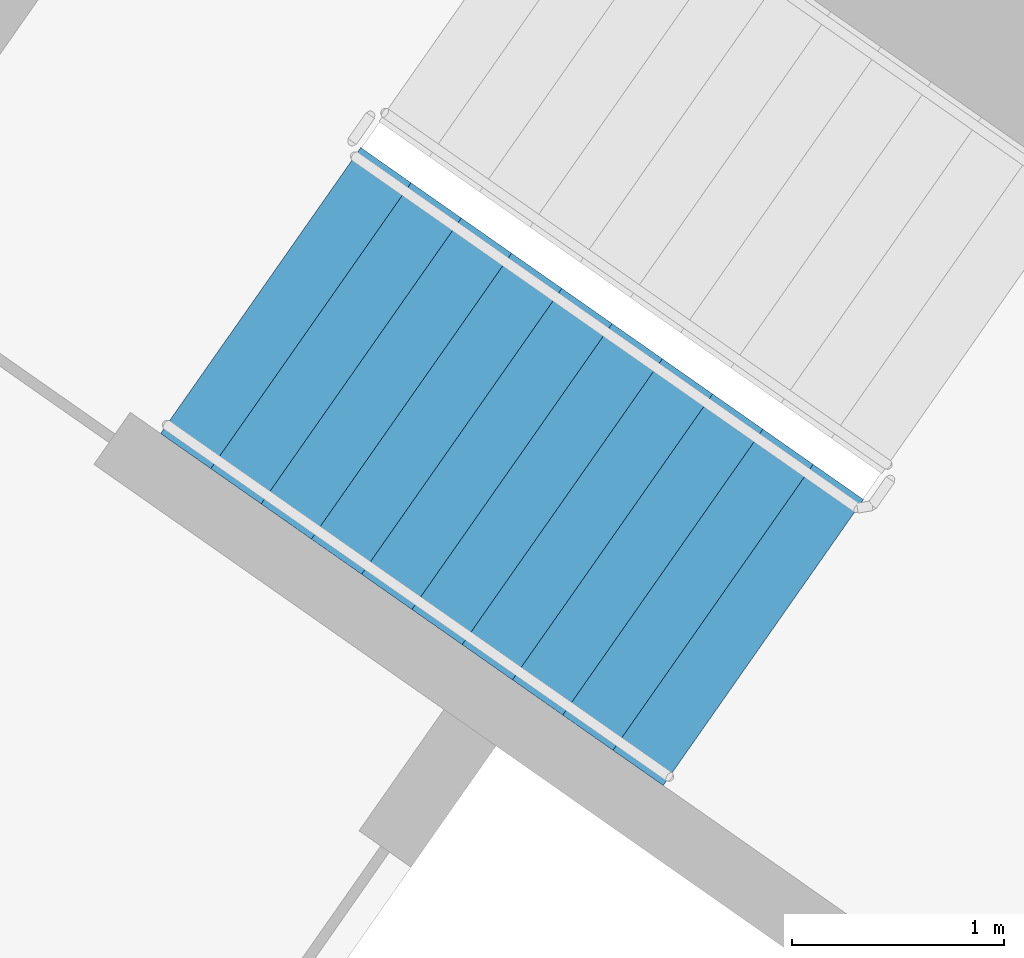
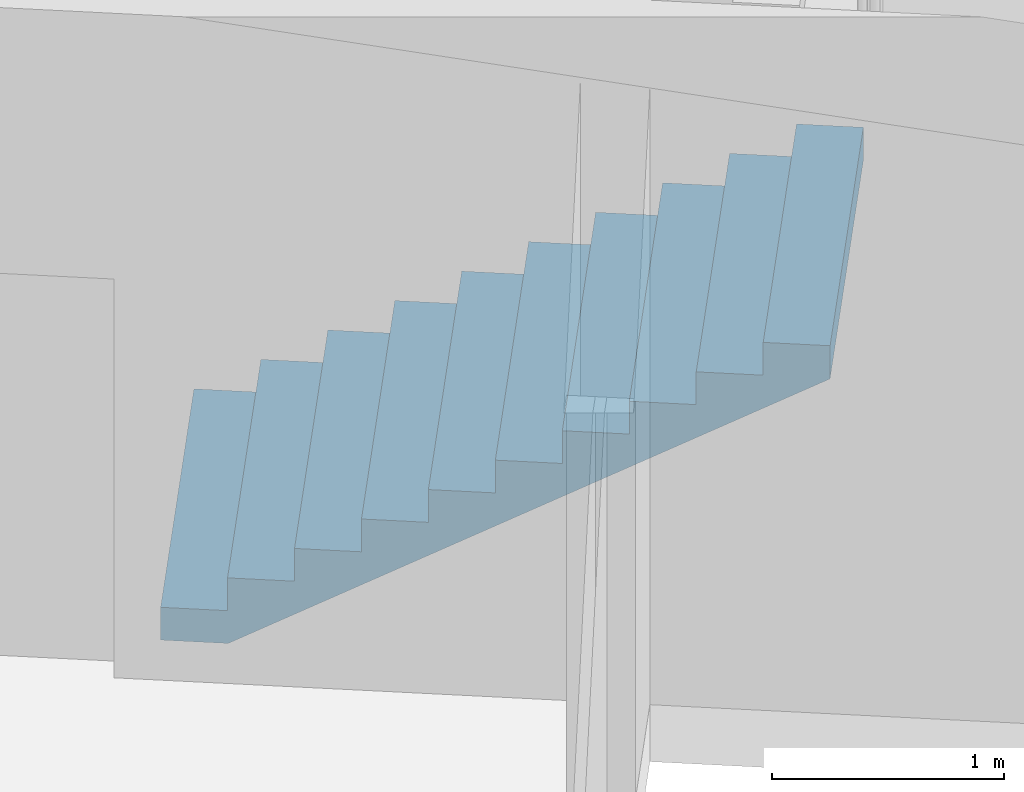
# One storey, part 11 of 27: 1 stair flight, 1 element without a shape of its own.
"""IFC4 building model written with IfcOpenShell, lengths in metres."""

from ifc_helpers import new_model, si_unit, direction, frame, origin, place, context, subcontext, project, spatial, faceted_brep, material, type_object, element, aggregate, save


model = new_model("IFC4")

# Units and contexts
model_context = context("Model", 3, precision=1e-05, world=origin(), true_north=direction((0.0, 1.0)))
body_context = subcontext(model_context, "Body", "Model", "MODEL_VIEW")
ifc_project = project(units=[si_unit("LENGTHUNIT", "METRE"), si_unit("AREAUNIT", "SQUARE_METRE"), si_unit("VOLUMEUNIT", "CUBIC_METRE"), si_unit("PLANEANGLEUNIT", "RADIAN"), si_unit("MASSUNIT", "GRAM", prefix="KILO")], contexts=[model_context])

# Site, building, storey
site_placement = place(None, origin())
site = spatial("IfcSite", under=ifc_project, at=site_placement, CompositionType="ELEMENT")
building_placement = place(site_placement, origin())
building = spatial("IfcBuilding", under=site, at=building_placement, Name="Qamariyya Broadcast Tower", CompositionType="ELEMENT")
storey_placement = place(building_placement, frame((0.0, 0.0, 222.699951171875)))
storey = spatial("IfcBuildingStorey", under=building, at=storey_placement, Name="L53", CompositionType="ELEMENT", Elevation=222.699951171875)

# Stair, stair flight
ifc_material = material(Name="Concrete C50/60", Category="concrete")
stair_type = type_object("IfcStairType", Name="Exit stair 22 risers of 173 mm", PredefinedType="HALF_TURN_STAIR", material=ifc_material)
stair_placement = place(storey_placement, origin())
stair = element("IfcStair", 1, at=stair_placement, inside=storey, type_object=stair_type, Name="L53 Stair W2", PredefinedType="HALF_TURN_STAIR")
stair_flight_type = type_object("IfcStairFlightType", Name="Exit stair flight 11 risers of 173 mm", PredefinedType="STRAIGHT", material=ifc_material)
stair_flight_placement = place(storey_placement, frame((-41.59130859375, -49.15966796875, 0.0), z_axis=(0.0, 0.0, 1.0), x_axis=(0.819152044289, -0.573576436351, 0.0)))
stair_flight = element("IfcStairFlight", 2, at=stair_flight_placement, type_object=stair_flight_type, Name="ST-W2 flight 1", NumberOfRisers=11, NumberOfTreads=10, PredefinedType="STRAIGHT", RiserHeight=0.172727273, TreadLength=0.29, context=body_context, shape_type="Brep", body=[
    faceted_brep([(0.0, 0.824951171875, 0.0), (0.0, 0.824951171875, 0.172607421875), (0.2900390625, 0.824951171875, 0.172607421875), (0.2900390625, 0.824951171875, 0.345458984375), (0.580078125, 0.824951171875, 0.345458984375), (0.580078125, 0.824951171875, 0.51806640625), (0.8701171875, 0.824951171875, 0.51806640625), (0.8701171875, 0.824951171875, 0.69091796875), (1.159912109375, 0.824951171875, 0.69091796875), (1.159912109375, 0.824951171875, 0.863525390625), (1.449951171875, 0.824951171875, 0.863525390625), (1.449951171875, 0.824951171875, 1.036376953125), (1.739990234375, 0.824951171875, 1.036376953125), (1.739990234375, 0.824951171875, 1.208984375), (2.030029296875, 0.824951171875, 1.208984375), (2.030029296875, 0.824951171875, 1.3818359375), (2.320068359375, 0.824951171875, 1.3818359375), (2.320068359375, 0.824951171875, 1.554443359375), (2.610107421875, 0.824951171875, 1.554443359375), (2.610107421875, 0.824951171875, 1.727294921875), (2.89990234375, 0.824951171875, 1.727294921875), (2.89990234375, 0.824951171875, 1.552734375), (0.29296875, 0.824951171875, 0.0), (0.29296875, -0.824951171875, 0.0), (2.89990234375, -0.824951171875, 1.552734375), (2.89990234375, -0.824951171875, 1.727294921875), (2.610107421875, -0.824951171875, 1.727294921875), (2.610107421875, -0.824951171875, 1.554443359375), (2.320068359375, -0.824951171875, 1.554443359375), (2.320068359375, -0.824951171875, 1.3818359375), (2.030029296875, -0.824951171875, 1.3818359375), (2.030029296875, -0.824951171875, 1.208984375), (1.739990234375, -0.824951171875, 1.208984375), (1.739990234375, -0.824951171875, 1.036376953125), (1.449951171875, -0.824951171875, 1.036376953125), (1.449951171875, -0.824951171875, 0.863525390625), (1.159912109375, -0.824951171875, 0.863525390625), (1.159912109375, -0.824951171875, 0.69091796875), (0.8701171875, -0.824951171875, 0.69091796875), (0.8701171875, -0.824951171875, 0.51806640625), (0.580078125, -0.824951171875, 0.51806640625), (0.580078125, -0.824951171875, 0.345458984375), (0.2900390625, -0.824951171875, 0.345458984375), (0.2900390625, -0.824951171875, 0.172607421875), (0.0, -0.824951171875, 0.172607421875), (0.0, -0.824951171875, 0.0), (0.0, 0.10009765625, 0.0), (0.0, 0.086669921875, 0.0), (0.0, 0.0732421875, 0.0), (0.0, 0.06005859375, 0.0), (0.0, 0.046630859375, 0.0), (0.0, 0.033447265625, 0.0), (0.0, 0.02001953125, 0.0), (0.0, 0.006591796875, 0.0), (0.0, -0.006591796875, 0.0), (0.0, -0.02001953125, 0.0), (0.0, -0.033447265625, 0.0), (0.0, -0.046630859375, 0.0), (0.0, -0.06005859375, 0.0), (0.0, -0.0732421875, 0.0), (0.0, -0.086669921875, 0.0), (0.0, -0.10009765625, 0.0), (0.0, -0.10009765625, 0.172607421875), (0.0, -0.086669921875, 0.172607421875), (0.0, -0.0732421875, 0.172607421875), (0.0, -0.06005859375, 0.172607421875), (0.0, -0.046630859375, 0.172607421875), (0.0, -0.033447265625, 0.172607421875), (0.0, -0.02001953125, 0.172607421875), (0.0, -0.006591796875, 0.172607421875), (0.0, 0.006591796875, 0.172607421875), (0.0, 0.02001953125, 0.172607421875), (0.0, 0.033447265625, 0.172607421875), (0.0, 0.046630859375, 0.172607421875), (0.0, 0.06005859375, 0.172607421875), (0.0, 0.0732421875, 0.172607421875), (0.0, 0.086669921875, 0.172607421875), (0.0, 0.10009765625, 0.172607421875), (0.2900390625, -0.10009765625, 0.172607421875), (0.2900390625, -0.086669921875, 0.172607421875), (0.2900390625, -0.0732421875, 0.172607421875), (0.2900390625, -0.06005859375, 0.172607421875), (0.2900390625, -0.046630859375, 0.172607421875), (0.2900390625, -0.033447265625, 0.172607421875), (0.2900390625, -0.02001953125, 0.172607421875), (0.2900390625, -0.006591796875, 0.172607421875), (0.2900390625, 0.006591796875, 0.172607421875), (0.2900390625, 0.02001953125, 0.172607421875), (0.2900390625, 0.033447265625, 0.172607421875), (0.2900390625, 0.046630859375, 0.172607421875), (0.2900390625, 0.06005859375, 0.172607421875), (0.2900390625, 0.0732421875, 0.172607421875), (0.2900390625, 0.086669921875, 0.172607421875), (0.2900390625, 0.10009765625, 0.172607421875), (0.2900390625, -0.10009765625, 0.345458984375), (0.2900390625, -0.086669921875, 0.345458984375), (0.2900390625, -0.0732421875, 0.345458984375), (0.2900390625, -0.06005859375, 0.345458984375), (0.2900390625, -0.046630859375, 0.345458984375), (0.2900390625, -0.033447265625, 0.345458984375), (0.2900390625, -0.02001953125, 0.345458984375), (0.2900390625, -0.006591796875, 0.345458984375), (0.2900390625, 0.006591796875, 0.345458984375), (0.2900390625, 0.02001953125, 0.345458984375), (0.2900390625, 0.033447265625, 0.345458984375), (0.2900390625, 0.046630859375, 0.345458984375), (0.2900390625, 0.06005859375, 0.345458984375), (0.2900390625, 0.0732421875, 0.345458984375), (0.2900390625, 0.086669921875, 0.345458984375), (0.2900390625, 0.10009765625, 0.345458984375), (0.580078125, -0.10009765625, 0.345458984375), (0.580078125, -0.086669921875, 0.345458984375), (0.580078125, -0.0732421875, 0.345458984375), (0.580078125, -0.06005859375, 0.345458984375), (0.580078125, -0.046630859375, 0.345458984375), (0.580078125, -0.033447265625, 0.345458984375), (0.580078125, -0.02001953125, 0.345458984375), (0.580078125, -0.006591796875, 0.345458984375), (0.580078125, 0.006591796875, 0.345458984375), (0.580078125, 0.02001953125, 0.345458984375), (0.580078125, 0.033447265625, 0.345458984375), (0.580078125, 0.046630859375, 0.345458984375), (0.580078125, 0.06005859375, 0.345458984375), (0.580078125, 0.0732421875, 0.345458984375), (0.580078125, 0.086669921875, 0.345458984375), (0.580078125, 0.10009765625, 0.345458984375), (0.580078125, -0.10009765625, 0.51806640625), (0.580078125, -0.086669921875, 0.51806640625), (0.580078125, -0.0732421875, 0.51806640625), (0.580078125, -0.06005859375, 0.51806640625), (0.580078125, -0.046630859375, 0.51806640625), (0.580078125, -0.033447265625, 0.51806640625), (0.580078125, -0.02001953125, 0.51806640625), (0.580078125, -0.006591796875, 0.51806640625), (0.580078125, 0.006591796875, 0.51806640625), (0.580078125, 0.02001953125, 0.51806640625), (0.580078125, 0.033447265625, 0.51806640625), (0.580078125, 0.046630859375, 0.51806640625), (0.580078125, 0.06005859375, 0.51806640625), (0.580078125, 0.0732421875, 0.51806640625), (0.580078125, 0.086669921875, 0.51806640625), (0.580078125, 0.10009765625, 0.51806640625), (0.8701171875, -0.10009765625, 0.51806640625), (0.8701171875, -0.086669921875, 0.51806640625), (0.8701171875, -0.0732421875, 0.51806640625), (0.8701171875, -0.06005859375, 0.51806640625), (0.8701171875, -0.046630859375, 0.51806640625), (0.8701171875, -0.033447265625, 0.51806640625), (0.8701171875, -0.02001953125, 0.51806640625), (0.8701171875, -0.006591796875, 0.51806640625), (0.8701171875, 0.006591796875, 0.51806640625), (0.8701171875, 0.02001953125, 0.51806640625), (0.8701171875, 0.033447265625, 0.51806640625), (0.8701171875, 0.046630859375, 0.51806640625), (0.8701171875, 0.06005859375, 0.51806640625), (0.8701171875, 0.0732421875, 0.51806640625), (0.8701171875, 0.086669921875, 0.51806640625), (0.8701171875, 0.10009765625, 0.51806640625), (0.8701171875, -0.10009765625, 0.69091796875), (0.8701171875, -0.086669921875, 0.69091796875), (0.8701171875, -0.0732421875, 0.69091796875), (0.8701171875, -0.06005859375, 0.69091796875), (0.8701171875, -0.046630859375, 0.69091796875), (0.8701171875, -0.033447265625, 0.69091796875), (0.8701171875, -0.02001953125, 0.69091796875), (0.8701171875, -0.006591796875, 0.69091796875), (0.8701171875, 0.006591796875, 0.69091796875), (0.8701171875, 0.02001953125, 0.69091796875), (0.8701171875, 0.033447265625, 0.69091796875), (0.8701171875, 0.046630859375, 0.69091796875), (0.8701171875, 0.06005859375, 0.69091796875), (0.8701171875, 0.0732421875, 0.69091796875), (0.8701171875, 0.086669921875, 0.69091796875), (0.8701171875, 0.10009765625, 0.69091796875), (1.159912109375, -0.10009765625, 0.69091796875), (1.159912109375, -0.086669921875, 0.69091796875), (1.159912109375, -0.0732421875, 0.69091796875), (1.159912109375, -0.06005859375, 0.69091796875), (1.159912109375, -0.046630859375, 0.69091796875), (1.159912109375, -0.033447265625, 0.69091796875), (1.159912109375, -0.02001953125, 0.69091796875), (1.159912109375, -0.006591796875, 0.69091796875), (1.159912109375, 0.006591796875, 0.69091796875), (1.159912109375, 0.02001953125, 0.69091796875), (1.159912109375, 0.033447265625, 0.69091796875), (1.159912109375, 0.046630859375, 0.69091796875), (1.159912109375, 0.06005859375, 0.69091796875), (1.159912109375, 0.0732421875, 0.69091796875), (1.159912109375, 0.086669921875, 0.69091796875), (1.159912109375, 0.10009765625, 0.69091796875), (1.159912109375, -0.10009765625, 0.863525390625), (1.159912109375, -0.086669921875, 0.863525390625), (1.159912109375, -0.0732421875, 0.863525390625), (1.159912109375, -0.06005859375, 0.863525390625), (1.159912109375, -0.046630859375, 0.863525390625), (1.159912109375, -0.033447265625, 0.863525390625), (1.159912109375, -0.02001953125, 0.863525390625), (1.159912109375, -0.006591796875, 0.863525390625), (1.159912109375, 0.006591796875, 0.863525390625), (1.159912109375, 0.02001953125, 0.863525390625), (1.159912109375, 0.033447265625, 0.863525390625), (1.159912109375, 0.046630859375, 0.863525390625), (1.159912109375, 0.06005859375, 0.863525390625), (1.159912109375, 0.0732421875, 0.863525390625), (1.159912109375, 0.086669921875, 0.863525390625), (1.159912109375, 0.10009765625, 0.863525390625), (1.449951171875, -0.10009765625, 0.863525390625), (1.449951171875, -0.086669921875, 0.863525390625), (1.449951171875, -0.0732421875, 0.863525390625), (1.449951171875, -0.06005859375, 0.863525390625), (1.449951171875, -0.046630859375, 0.863525390625), (1.449951171875, -0.033447265625, 0.863525390625), (1.449951171875, -0.02001953125, 0.863525390625), (1.449951171875, -0.006591796875, 0.863525390625), (1.449951171875, 0.006591796875, 0.863525390625), (1.449951171875, 0.02001953125, 0.863525390625), (1.449951171875, 0.033447265625, 0.863525390625), (1.449951171875, 0.046630859375, 0.863525390625), (1.449951171875, 0.06005859375, 0.863525390625), (1.449951171875, 0.0732421875, 0.863525390625), (1.449951171875, 0.086669921875, 0.863525390625), (1.449951171875, 0.10009765625, 0.863525390625), (1.449951171875, -0.10009765625, 1.036376953125), (1.449951171875, -0.086669921875, 1.036376953125), (1.449951171875, -0.0732421875, 1.036376953125), (1.449951171875, -0.06005859375, 1.036376953125), (1.449951171875, -0.046630859375, 1.036376953125), (1.449951171875, -0.033447265625, 1.036376953125), (1.449951171875, -0.02001953125, 1.036376953125), (1.449951171875, -0.006591796875, 1.036376953125), (1.449951171875, 0.006591796875, 1.036376953125), (1.449951171875, 0.02001953125, 1.036376953125), (1.449951171875, 0.033447265625, 1.036376953125), (1.449951171875, 0.046630859375, 1.036376953125), (1.449951171875, 0.06005859375, 1.036376953125), (1.449951171875, 0.0732421875, 1.036376953125), (1.449951171875, 0.086669921875, 1.036376953125), (1.449951171875, 0.10009765625, 1.036376953125), (1.739990234375, -0.10009765625, 1.036376953125), (1.739990234375, -0.086669921875, 1.036376953125), (1.739990234375, -0.0732421875, 1.036376953125), (1.739990234375, -0.06005859375, 1.036376953125), (1.739990234375, -0.046630859375, 1.036376953125), (1.739990234375, -0.033447265625, 1.036376953125), (1.739990234375, -0.02001953125, 1.036376953125), (1.739990234375, -0.006591796875, 1.036376953125), (1.739990234375, 0.006591796875, 1.036376953125), (1.739990234375, 0.02001953125, 1.036376953125), (1.739990234375, 0.033447265625, 1.036376953125), (1.739990234375, 0.046630859375, 1.036376953125), (1.739990234375, 0.06005859375, 1.036376953125), (1.739990234375, 0.0732421875, 1.036376953125), (1.739990234375, 0.086669921875, 1.036376953125), (1.739990234375, 0.10009765625, 1.036376953125), (1.739990234375, -0.10009765625, 1.208984375), (1.739990234375, -0.086669921875, 1.208984375), (1.739990234375, -0.0732421875, 1.208984375), (1.739990234375, -0.06005859375, 1.208984375), (1.739990234375, -0.046630859375, 1.208984375), (1.739990234375, -0.033447265625, 1.208984375), (1.739990234375, -0.02001953125, 1.208984375), (1.739990234375, -0.006591796875, 1.208984375), (1.739990234375, 0.006591796875, 1.208984375), (1.739990234375, 0.02001953125, 1.208984375), (1.739990234375, 0.033447265625, 1.208984375), (1.739990234375, 0.046630859375, 1.208984375), (1.739990234375, 0.06005859375, 1.208984375), (1.739990234375, 0.0732421875, 1.208984375), (1.739990234375, 0.086669921875, 1.208984375), (1.739990234375, 0.10009765625, 1.208984375), (2.030029296875, -0.10009765625, 1.208984375), (2.030029296875, -0.086669921875, 1.208984375), (2.030029296875, -0.0732421875, 1.208984375), (2.030029296875, -0.06005859375, 1.208984375), (2.030029296875, -0.046630859375, 1.208984375), (2.030029296875, -0.033447265625, 1.208984375), (2.030029296875, -0.02001953125, 1.208984375), (2.030029296875, -0.006591796875, 1.208984375), (2.030029296875, 0.006591796875, 1.208984375), (2.030029296875, 0.02001953125, 1.208984375), (2.030029296875, 0.033447265625, 1.208984375), (2.030029296875, 0.046630859375, 1.208984375), (2.030029296875, 0.06005859375, 1.208984375), (2.030029296875, 0.0732421875, 1.208984375), (2.030029296875, 0.086669921875, 1.208984375), (2.030029296875, 0.10009765625, 1.208984375), (2.030029296875, -0.10009765625, 1.3818359375), (2.030029296875, -0.086669921875, 1.3818359375), (2.030029296875, -0.0732421875, 1.3818359375), (2.030029296875, -0.06005859375, 1.3818359375), (2.030029296875, -0.046630859375, 1.3818359375), (2.030029296875, -0.033447265625, 1.3818359375), (2.030029296875, -0.02001953125, 1.3818359375), (2.030029296875, -0.006591796875, 1.3818359375), (2.030029296875, 0.006591796875, 1.3818359375), (2.030029296875, 0.02001953125, 1.3818359375), (2.030029296875, 0.033447265625, 1.3818359375), (2.030029296875, 0.046630859375, 1.3818359375), (2.030029296875, 0.06005859375, 1.3818359375), (2.030029296875, 0.0732421875, 1.3818359375), (2.030029296875, 0.086669921875, 1.3818359375), (2.030029296875, 0.10009765625, 1.3818359375), (2.320068359375, -0.10009765625, 1.3818359375), (2.320068359375, -0.086669921875, 1.3818359375), (2.320068359375, -0.0732421875, 1.3818359375), (2.320068359375, -0.06005859375, 1.3818359375), (2.320068359375, -0.046630859375, 1.3818359375), (2.320068359375, -0.033447265625, 1.3818359375), (2.320068359375, -0.02001953125, 1.3818359375), (2.320068359375, -0.006591796875, 1.3818359375), (2.320068359375, 0.006591796875, 1.3818359375), (2.320068359375, 0.02001953125, 1.3818359375), (2.320068359375, 0.033447265625, 1.3818359375), (2.320068359375, 0.046630859375, 1.3818359375), (2.320068359375, 0.06005859375, 1.3818359375), (2.320068359375, 0.0732421875, 1.3818359375), (2.320068359375, 0.086669921875, 1.3818359375), (2.320068359375, 0.10009765625, 1.3818359375), (2.320068359375, -0.10009765625, 1.554443359375), (2.320068359375, -0.086669921875, 1.554443359375), (2.320068359375, -0.0732421875, 1.554443359375), (2.320068359375, -0.06005859375, 1.554443359375), (2.320068359375, -0.046630859375, 1.554443359375), (2.320068359375, -0.033447265625, 1.554443359375), (2.320068359375, -0.02001953125, 1.554443359375), (2.320068359375, -0.006591796875, 1.554443359375), (2.320068359375, 0.006591796875, 1.554443359375), (2.320068359375, 0.02001953125, 1.554443359375), (2.320068359375, 0.033447265625, 1.554443359375), (2.320068359375, 0.046630859375, 1.554443359375), (2.320068359375, 0.06005859375, 1.554443359375), (2.320068359375, 0.0732421875, 1.554443359375), (2.320068359375, 0.086669921875, 1.554443359375), (2.320068359375, 0.10009765625, 1.554443359375), (2.610107421875, -0.10009765625, 1.554443359375), (2.610107421875, -0.086669921875, 1.554443359375), (2.610107421875, -0.0732421875, 1.554443359375), (2.610107421875, -0.06005859375, 1.554443359375), (2.610107421875, -0.046630859375, 1.554443359375), (2.610107421875, -0.033447265625, 1.554443359375), (2.610107421875, -0.02001953125, 1.554443359375), (2.610107421875, -0.006591796875, 1.554443359375), (2.610107421875, 0.006591796875, 1.554443359375), (2.610107421875, 0.02001953125, 1.554443359375), (2.610107421875, 0.033447265625, 1.554443359375), (2.610107421875, 0.046630859375, 1.554443359375), (2.610107421875, 0.06005859375, 1.554443359375), (2.610107421875, 0.0732421875, 1.554443359375), (2.610107421875, 0.086669921875, 1.554443359375), (2.610107421875, 0.10009765625, 1.554443359375), (2.610107421875, -0.10009765625, 1.727294921875), (2.610107421875, -0.086669921875, 1.727294921875), (2.610107421875, -0.0732421875, 1.727294921875), (2.610107421875, -0.06005859375, 1.727294921875), (2.610107421875, -0.046630859375, 1.727294921875), (2.610107421875, -0.033447265625, 1.727294921875), (2.610107421875, -0.02001953125, 1.727294921875), (2.610107421875, -0.006591796875, 1.727294921875), (2.610107421875, 0.006591796875, 1.727294921875), (2.610107421875, 0.02001953125, 1.727294921875), (2.610107421875, 0.033447265625, 1.727294921875), (2.610107421875, 0.046630859375, 1.727294921875), (2.610107421875, 0.06005859375, 1.727294921875), (2.610107421875, 0.0732421875, 1.727294921875), (2.610107421875, 0.086669921875, 1.727294921875), (2.610107421875, 0.10009765625, 1.727294921875), (2.89990234375, -0.10009765625, 1.727294921875), (2.89990234375, -0.086669921875, 1.727294921875), (2.89990234375, -0.0732421875, 1.727294921875), (2.89990234375, -0.06005859375, 1.727294921875), (2.89990234375, -0.046630859375, 1.727294921875), (2.89990234375, -0.033447265625, 1.727294921875), (2.89990234375, -0.02001953125, 1.727294921875), (2.89990234375, -0.006591796875, 1.727294921875), (2.89990234375, 0.006591796875, 1.727294921875), (2.89990234375, 0.02001953125, 1.727294921875), (2.89990234375, 0.033447265625, 1.727294921875), (2.89990234375, 0.046630859375, 1.727294921875), (2.89990234375, 0.06005859375, 1.727294921875), (2.89990234375, 0.0732421875, 1.727294921875), (2.89990234375, 0.086669921875, 1.727294921875), (2.89990234375, 0.10009765625, 1.727294921875), (2.89990234375, -0.10009765625, 1.552734375), (2.89990234375, -0.086669921875, 1.552734375), (2.89990234375, -0.0732421875, 1.552734375), (2.89990234375, -0.06005859375, 1.552734375), (2.89990234375, -0.046630859375, 1.552734375), (2.89990234375, -0.033447265625, 1.552734375), (2.89990234375, -0.02001953125, 1.552734375), (2.89990234375, -0.006591796875, 1.552734375), (2.89990234375, 0.006591796875, 1.552734375), (2.89990234375, 0.02001953125, 1.552734375), (2.89990234375, 0.033447265625, 1.552734375), (2.89990234375, 0.046630859375, 1.552734375), (2.89990234375, 0.06005859375, 1.552734375), (2.89990234375, 0.0732421875, 1.552734375), (2.89990234375, 0.086669921875, 1.552734375), (2.89990234375, 0.10009765625, 1.552734375), (0.29296875, -0.10009765625, 0.0), (0.29296875, -0.086669921875, 0.0), (0.29296875, -0.0732421875, 0.0), (0.29296875, -0.06005859375, 0.0), (0.29296875, -0.046630859375, 0.0), (0.29296875, -0.033447265625, 0.0), (0.29296875, -0.02001953125, 0.0), (0.29296875, -0.006591796875, 0.0), (0.29296875, 0.006591796875, 0.0), (0.29296875, 0.02001953125, 0.0), (0.29296875, 0.033447265625, 0.0), (0.29296875, 0.046630859375, 0.0), (0.29296875, 0.06005859375, 0.0), (0.29296875, 0.0732421875, 0.0), (0.29296875, 0.086669921875, 0.0), (0.29296875, 0.10009765625, 0.0)], [[[0, 1, 2, 3, 4, 5, 6, 7, 8, 9, 10, 11, 12, 13, 14, 15, 16, 17, 18, 19, 20, 21, 22]], [[23, 24, 25, 26, 27, 28, 29, 30, 31, 32, 33, 34, 35, 36, 37, 38, 39, 40, 41, 42, 43, 44, 45]], [[0, 46, 47, 48, 49, 50, 51, 52, 53, 54, 55, 56, 57, 58, 59, 60, 61, 45, 44, 62, 63, 64, 65, 66, 67, 68, 69, 70, 71, 72, 73, 74, 75, 76, 77, 1]], [[1, 77, 76, 75, 74, 73, 72, 71, 70, 69, 68, 67, 66, 65, 64, 63, 62, 44, 43, 78, 79, 80, 81, 82, 83, 84, 85, 86, 87, 88, 89, 90, 91, 92, 93, 2]], [[2, 93, 92, 91, 90, 89, 88, 87, 86, 85, 84, 83, 82, 81, 80, 79, 78, 43, 42, 94, 95, 96, 97, 98, 99, 100, 101, 102, 103, 104, 105, 106, 107, 108, 109, 3]], [[3, 109, 108, 107, 106, 105, 104, 103, 102, 101, 100, 99, 98, 97, 96, 95, 94, 42, 41, 110, 111, 112, 113, 114, 115, 116, 117, 118, 119, 120, 121, 122, 123, 124, 125, 4]], [[4, 125, 124, 123, 122, 121, 120, 119, 118, 117, 116, 115, 114, 113, 112, 111, 110, 41, 40, 126, 127, 128, 129, 130, 131, 132, 133, 134, 135, 136, 137, 138, 139, 140, 141, 5]], [[5, 141, 140, 139, 138, 137, 136, 135, 134, 133, 132, 131, 130, 129, 128, 127, 126, 40, 39, 142, 143, 144, 145, 146, 147, 148, 149, 150, 151, 152, 153, 154, 155, 156, 157, 6]], [[6, 157, 156, 155, 154, 153, 152, 151, 150, 149, 148, 147, 146, 145, 144, 143, 142, 39, 38, 158, 159, 160, 161, 162, 163, 164, 165, 166, 167, 168, 169, 170, 171, 172, 173, 7]], [[7, 173, 172, 171, 170, 169, 168, 167, 166, 165, 164, 163, 162, 161, 160, 159, 158, 38, 37, 174, 175, 176, 177, 178, 179, 180, 181, 182, 183, 184, 185, 186, 187, 188, 189, 8]], [[8, 189, 188, 187, 186, 185, 184, 183, 182, 181, 180, 179, 178, 177, 176, 175, 174, 37, 36, 190, 191, 192, 193, 194, 195, 196, 197, 198, 199, 200, 201, 202, 203, 204, 205, 9]], [[9, 205, 204, 203, 202, 201, 200, 199, 198, 197, 196, 195, 194, 193, 192, 191, 190, 36, 35, 206, 207, 208, 209, 210, 211, 212, 213, 214, 215, 216, 217, 218, 219, 220, 221, 10]], [[10, 221, 220, 219, 218, 217, 216, 215, 214, 213, 212, 211, 210, 209, 208, 207, 206, 35, 34, 222, 223, 224, 225, 226, 227, 228, 229, 230, 231, 232, 233, 234, 235, 236, 237, 11]], [[11, 237, 236, 235, 234, 233, 232, 231, 230, 229, 228, 227, 226, 225, 224, 223, 222, 34, 33, 238, 239, 240, 241, 242, 243, 244, 245, 246, 247, 248, 249, 250, 251, 252, 253, 12]], [[12, 253, 252, 251, 250, 249, 248, 247, 246, 245, 244, 243, 242, 241, 240, 239, 238, 33, 32, 254, 255, 256, 257, 258, 259, 260, 261, 262, 263, 264, 265, 266, 267, 268, 269, 13]], [[13, 269, 268, 267, 266, 265, 264, 263, 262, 261, 260, 259, 258, 257, 256, 255, 254, 32, 31, 270, 271, 272, 273, 274, 275, 276, 277, 278, 279, 280, 281, 282, 283, 284, 285, 14]], [[14, 285, 284, 283, 282, 281, 280, 279, 278, 277, 276, 275, 274, 273, 272, 271, 270, 31, 30, 286, 287, 288, 289, 290, 291, 292, 293, 294, 295, 296, 297, 298, 299, 300, 301, 15]], [[15, 301, 300, 299, 298, 297, 296, 295, 294, 293, 292, 291, 290, 289, 288, 287, 286, 30, 29, 302, 303, 304, 305, 306, 307, 308, 309, 310, 311, 312, 313, 314, 315, 316, 317, 16]], [[16, 317, 316, 315, 314, 313, 312, 311, 310, 309, 308, 307, 306, 305, 304, 303, 302, 29, 28, 318, 319, 320, 321, 322, 323, 324, 325, 326, 327, 328, 329, 330, 331, 332, 333, 17]], [[17, 333, 332, 331, 330, 329, 328, 327, 326, 325, 324, 323, 322, 321, 320, 319, 318, 28, 27, 334, 335, 336, 337, 338, 339, 340, 341, 342, 343, 344, 345, 346, 347, 348, 349, 18]], [[18, 349, 348, 347, 346, 345, 344, 343, 342, 341, 340, 339, 338, 337, 336, 335, 334, 27, 26, 350, 351, 352, 353, 354, 355, 356, 357, 358, 359, 360, 361, 362, 363, 364, 365, 19]], [[19, 365, 364, 363, 362, 361, 360, 359, 358, 357, 356, 355, 354, 353, 352, 351, 350, 26, 25, 366, 367, 368, 369, 370, 371, 372, 373, 374, 375, 376, 377, 378, 379, 380, 381, 20]], [[20, 381, 380, 379, 378, 377, 376, 375, 374, 373, 372, 371, 370, 369, 368, 367, 366, 25, 24, 382, 383, 384, 385, 386, 387, 388, 389, 390, 391, 392, 393, 394, 395, 396, 397, 21]], [[21, 397, 396, 395, 394, 393, 392, 391, 390, 389, 388, 387, 386, 385, 384, 383, 382, 24, 23, 398, 399, 400, 401, 402, 403, 404, 405, 406, 407, 408, 409, 410, 411, 412, 413, 22]], [[22, 413, 412, 411, 410, 409, 408, 407, 406, 405, 404, 403, 402, 401, 400, 399, 398, 23, 45, 61, 60, 59, 58, 57, 56, 55, 54, 53, 52, 51, 50, 49, 48, 47, 46, 0]]]),
])
aggregate(stair, [stair_flight])

save(model, "model.ifc")
